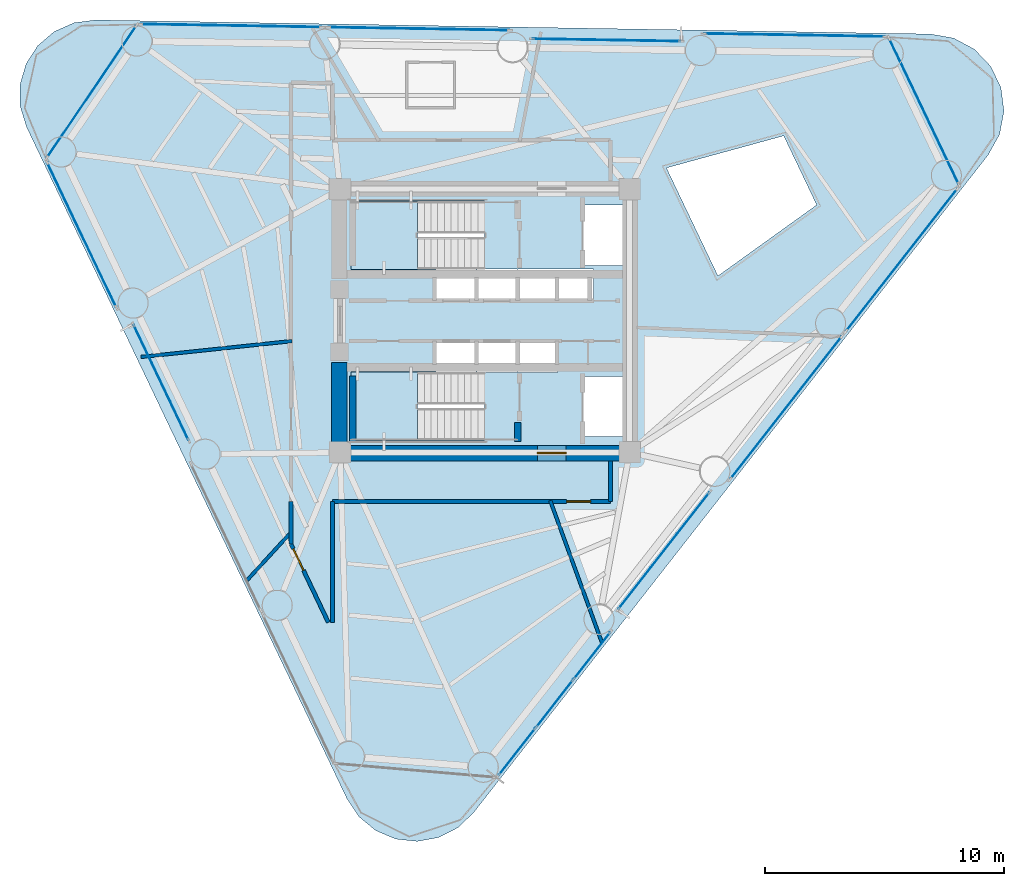
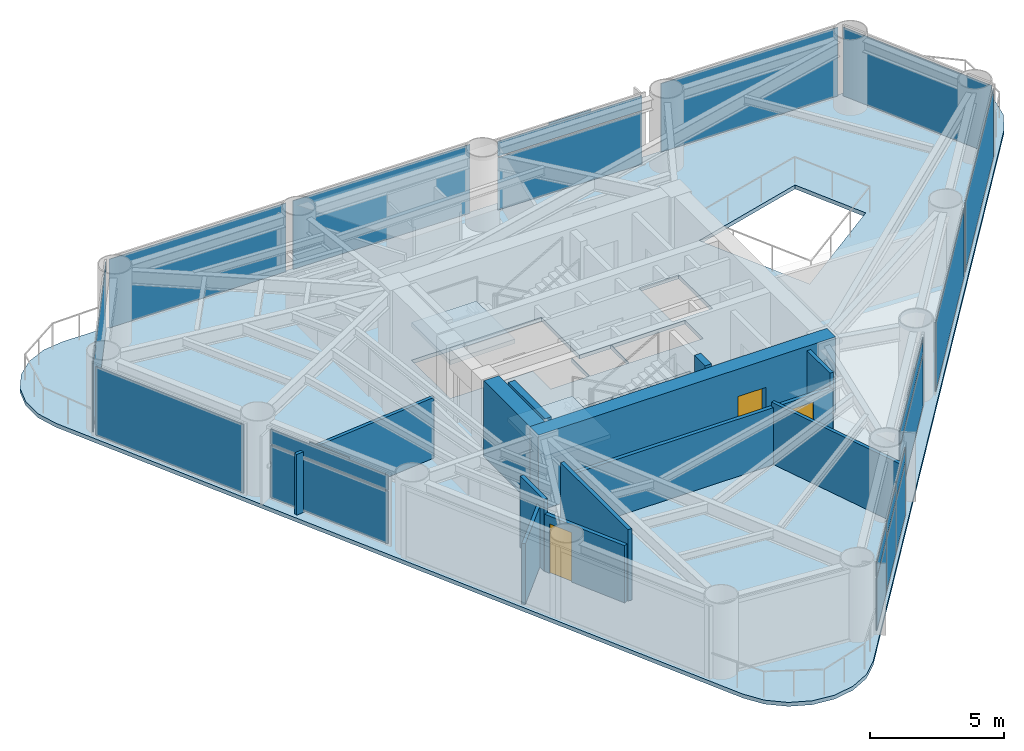
# One storey, part 5 of 10: 23 plates, 12 walls, 3 doors, 3 slabs, 3 openings, 14 elements without a shape of their own.
"""IFC4 building model written with IfcOpenShell, lengths in metres."""

from ifc_helpers import new_model, si_unit, direction, frame, frame_2d, origin, origin_2d, place, context, subcontext, project, spatial, polyline, rectangle, outline, extrude, source, transform, mapped, material, layer, layer_set, type_object, element, fill, aggregate, save


model = new_model("IFC4")

# Units and contexts
model_context = context("Model", 3, precision=1e-05, world=origin(), true_north=direction((0.0, 1.0)))
body_context = subcontext(model_context, "Body", "Model", "MODEL_VIEW")
ifc_project = project(units=[si_unit("LENGTHUNIT", "METRE"), si_unit("AREAUNIT", "SQUARE_METRE"), si_unit("VOLUMEUNIT", "CUBIC_METRE"), si_unit("PLANEANGLEUNIT", "RADIAN"), si_unit("MASSUNIT", "GRAM", prefix="KILO")], contexts=[model_context])

# Site, building, storey
site_placement = place(None, origin())
site = spatial("IfcSite", under=ifc_project, at=site_placement, CompositionType="ELEMENT")
building_placement = place(site_placement, origin())
building = spatial("IfcBuilding", under=site, at=building_placement, Name="Yunling Apex Tower", CompositionType="ELEMENT")
storey_placement = place(building_placement, frame((0.0, 0.0, 129.5)))
storey = spatial("IfcBuildingStorey", under=building, at=storey_placement, Name="L31", CompositionType="ELEMENT", Elevation=129.5)

# Slab
ifc_material_1 = material(Name="Concrete C40", Category="concrete")
ifc_layer_1 = layer(ifc_material_1, 0.1650390625)
ifc_layer_set_1 = layer_set([ifc_layer_1], Name="Concrete C40")
slab_type_1 = type_object("IfcSlabType", Name="SL-FLR-2", PredefinedType="FLOOR", material=ifc_layer_set_1)
slab_1_placement = place(storey_placement, frame((0.0, 0.0, -0.179931640625)))
element("IfcSlab", 1, at=slab_1_placement, inside=storey, type_object=slab_type_1, Name="L31 Composite Tower Floor Slab", PredefinedType="FLOOR", context=body_context, shape_type="SweptSolid", body=[
    extrude(outline(polyline([(-5.759765625, -19.970947265625), (-5.255615234375, -20.723388671875), (-4.55712890625, -21.300048828125), (-3.722900390625, -21.652587890625), (-2.82275390625, -21.75146484375), (-1.931884765625, -21.58837890625), (-1.125, -21.17724609375), (-0.469482421875, -20.55224609375), (21.029541015625, 6.926025390625), (21.5078125, 7.7900390625), (21.693115234375, 8.76025390625), (21.566650390625, 9.73974609375), (21.1416015625, 10.631103515625), (20.459716796875, 11.345703125), (19.58935546875, 11.812255859375), (18.616943359375, 11.984375), (-16.267578125, 12.569091796875), (-17.165771484375, 12.453125), (-17.9931640625, 12.084716796875), (-18.680419921875, 11.4951171875), (-19.170166015625, 10.733154296875), (-19.421142578125, 9.86279296875), (-19.41259765625, 8.957275390625), (-19.14501953125, 8.092041015625), (-5.759765625, -19.970947265625)]), holes=[polyline([(12.489013671875, 7.7294921875), (13.86669921875, 4.84130859375), (9.7412109375, 1.87646484375), (7.58837890625, 6.389404296875), (12.489013671875, 7.7294921875)]), polyline([(4.090087890625, -2.320068359375), (5.81005859375, -2.320068359375), (5.81005859375, -4.840087890625), (4.090087890625, -4.840087890625), (4.090087890625, -2.320068359375)]), polyline([(5.81005859375, 4.840087890625), (5.81005859375, 2.320068359375), (4.090087890625, 2.320068359375), (4.090087890625, 4.840087890625), (5.81005859375, 4.840087890625)]), polyline([(1.364990234375, 2.1650390625), (4.534912109375, 2.1650390625), (4.534912109375, 0.794921875), (1.364990234375, 0.794921875), (1.364990234375, 2.1650390625)]), polyline([(3.034912109375, -0.794921875), (3.034912109375, -2.1650390625), (1.364990234375, -2.1650390625), (1.364990234375, -0.794921875), (3.034912109375, -0.794921875)]), polyline([(-2.034912109375, -0.794921875), (-0.364990234375, -0.794921875), (-0.364990234375, -2.139892578125), (-0.3349609375, -2.139892578125), (-0.3349609375, -0.794921875), (1.3349609375, -0.794921875), (1.3349609375, -2.1650390625), (-0.010009765625, -2.1650390625), (-0.010009765625, -5.010009765625), (-5.60009765625, -5.010009765625), (-5.60009765625, -2.139892578125), (-2.034912109375, -2.139892578125), (-2.034912109375, -0.794921875)]), polyline([(-5.60009765625, 2.139892578125), (-5.60009765625, 5.010009765625), (-0.010009765625, 5.010009765625), (-0.010009765625, 2.1650390625), (1.3349609375, 2.1650390625), (1.3349609375, 0.794921875), (-0.3349609375, 0.794921875), (-0.3349609375, 2.139892578125), (-0.364990234375, 2.139892578125), (-0.364990234375, 0.794921875), (-2.034912109375, 0.794921875), (-2.034912109375, 2.139892578125), (-5.60009765625, 2.139892578125)])]), origin(), (0.0, 0.0, 1.0), 0.179931640625),
])

# Stair, slab
stair_type = type_object("IfcStairType", Name="ST-TWR-2", PredefinedType="HALF_TURN_STAIR", material=ifc_material_1)
stair_1_placement = place(storey_placement, origin())
stair_1 = element("IfcStair", 2, at=stair_1_placement, inside=storey, type_object=stair_type, Name="L31 North Core Smokeproof Exit Stair ST-1", PredefinedType="HALF_TURN_STAIR")
ifc_layer_2 = layer(ifc_material_1, 0.195068359375)
ifc_layer_set_2 = layer_set([ifc_layer_2], Name="Concrete C40")
slab_type_2 = type_object("IfcSlabType", Name="SL-LND-1", PredefinedType="LANDING", material=ifc_layer_set_2)
slab_2_placement = place(storey_placement, frame((0.0, 0.0, 1.530029296875)))
slab_2 = element("IfcSlab", 3, at=slab_2_placement, type_object=slab_type_2, Name="ST-1 landing 1", PredefinedType="LANDING", context=body_context, shape_type="SweptSolid", body=[
    extrude(outline(polyline([(-2.81005859375, 5.010009765625), (-5.60009765625, 5.010009765625), (-5.60009765625, 2.139892578125), (-2.81005859375, 2.139892578125), (-2.81005859375, 5.010009765625)])), origin(), (0.0, 0.0, 1.0), 0.195068359375),
])
aggregate(stair_1, [slab_2])

stair_2_placement = place(storey_placement, origin())
stair_2 = element("IfcStair", 4, at=stair_2_placement, inside=storey, type_object=stair_type, Name="L31 South Core Smokeproof Exit Stair ST-2", PredefinedType="HALF_TURN_STAIR")
slab_3_placement = place(storey_placement, frame((0.0, 0.0, 1.530029296875)))
slab_3 = element("IfcSlab", 5, at=slab_3_placement, type_object=slab_type_2, Name="ST-2 landing 1", PredefinedType="LANDING", context=body_context, shape_type="SweptSolid", body=[
    extrude(outline(polyline([(-2.81005859375, -2.139892578125), (-5.60009765625, -2.139892578125), (-5.60009765625, -5.010009765625), (-2.81005859375, -5.010009765625), (-2.81005859375, -2.139892578125)])), origin(), (0.0, 0.0, 1.0), 0.195068359375),
])
aggregate(stair_2, [slab_3])

# Plates
ifc_material_2 = material(Name="Bronze anodised aluminium", Category="aluminium")
ifc_layer_3 = layer(ifc_material_2, 0.011962890625)
ifc_layer_set_3 = layer_set([ifc_layer_3], Name="Bronze anodised aluminium")
plate_type_1 = type_object("IfcPlateType", Name="SP-SHT-1", PredefinedType="SHEET", material=ifc_layer_set_3)
shared_shape_1 = source(origin(), body_context, "Body", "SweptSolid", [
    extrude(rectangle(XDim=1.800048828125, YDim=0.02392578125, at=origin_2d()), origin(), (0.0, 0.0, 1.0), 0.43994140625),
])
for number, where, z_axis, x_axis, name in (
    (6, (7.4833984375, -9.608642578125, 2.8701171875), (0.0, 0.0, 1.0), (0.616211460536, 0.787580748815, 0.0), "SP-GRV-L31-F1"),
    (7, (5.091064453125, 11.73095703125, 2.8701171875), (0.0, 0.0, 1.0), (-0.999859635577, 0.016754376869, 0.0), "SP-GRV-L31-F2"),
    (8, (-13.52490234375, -2.57568359375, 2.8701171875), (0.0, 0.0, 1.0), (0.430511096808, -0.90258528435, 0.0), "SP-GRV-L31-F3"),
):
    element("IfcPlate", number, at=place(storey_placement, frame(where, z_axis=z_axis, x_axis=x_axis)), inside=storey, type_object=plate_type_1, Name=name, PredefinedType="SHEET", context=body_context, shape_type="MappedRepresentation", body=[
        mapped(shared_shape_1, transform((0.0, 0.0, 0.0), scale=1.0)),
    ])

# Curtain wall, plates
ifc_layer_4 = layer(ifc_material_2, 0.239990234375)
ifc_layer_set_4 = layer_set([ifc_layer_4], Name="Bronze anodised aluminium")
curtain_wall_type = type_object("IfcCurtainWallType", Name="CW-SYS-3", PredefinedType="NOTDEFINED", material=ifc_layer_set_4)
curtain_wall_1_placement = place(storey_placement, origin())
curtain_wall_1 = element("IfcCurtainWall", 9, at=curtain_wall_1_placement, inside=storey, type_object=curtain_wall_type, Name="CW-L31-F1-B1", PredefinedType="NOTDEFINED")
ifc_material_3 = material(Name="Bronze tinted low-E glass", Category="glass")
ifc_layer_5 = layer(ifc_material_3, 0.031982421875)
ifc_layer_set_5 = layer_set([ifc_layer_5], Name="Bronze tinted low-E glass")
plate_type_2 = type_object("IfcPlateType", Name="CW-PNL-3", PredefinedType="CURTAIN_PANEL", material=ifc_layer_set_5)
shared_shape_2 = source(origin(), body_context, "Body", "SweptSolid", [
    extrude(rectangle(XDim=2.45947265625, YDim=0.031982421875, at=origin_2d()), origin(), (0.0, 0.0, 1.0), 2.381103515625),
])
plate_1_placement = place(storey_placement, frame((1.3466796875, -18.00390625, 0.072265625), z_axis=(0.0, 0.0, 1.0), x_axis=(0.616207626377, 0.787583748686, 0.0)))
plate_1 = element("IfcPlate", 10, at=plate_1_placement, type_object=plate_type_2, Name="CW-SYS-3 panel 1.1", PredefinedType="CURTAIN_PANEL", context=body_context, shape_type="MappedRepresentation", body=[
    mapped(shared_shape_2, transform((0.0, 0.0, 0.0), scale=1.0)),
])
plate_2_placement = place(storey_placement, frame((4.481201171875, -13.99755859375, 0.072265625), z_axis=(0.0, 0.0, 1.0), x_axis=(0.616207626377, 0.787583748686, 0.0)))
plate_2 = element("IfcPlate", 11, at=plate_2_placement, type_object=plate_type_2, Name="CW-SYS-3 panel 3.1", PredefinedType="CURTAIN_PANEL", context=body_context, shape_type="MappedRepresentation", body=[
    mapped(shared_shape_2, transform((0.0, 0.0, 0.0), scale=1.0)),
])
shared_shape_3 = source(origin(), body_context, "Body", "SweptSolid", [
    extrude(rectangle(XDim=2.45947265625, YDim=0.031982421875, at=origin_2d()), origin(), (0.0, 0.0, 1.0), 0.680908203125),
])
plate_3_placement = place(storey_placement, frame((1.3466796875, -18.00390625, 2.51708984375), z_axis=(0.0, 0.0, 1.0), x_axis=(0.616207626377, 0.787583748686, 0.0)))
plate_3 = element("IfcPlate", 12, at=plate_3_placement, type_object=plate_type_2, Name="CW-SYS-3 panel 1.2", PredefinedType="CURTAIN_PANEL", context=body_context, shape_type="MappedRepresentation", body=[
    mapped(shared_shape_3, transform((0.0, 0.0, 0.0), scale=1.0)),
])
plate_4_placement = place(storey_placement, frame((4.481201171875, -13.99755859375, 2.51708984375), z_axis=(0.0, 0.0, 1.0), x_axis=(0.616207626377, 0.787583748686, 0.0)))
plate_4 = element("IfcPlate", 13, at=plate_4_placement, type_object=plate_type_2, Name="CW-SYS-3 panel 3.2", PredefinedType="CURTAIN_PANEL", context=body_context, shape_type="MappedRepresentation", body=[
    mapped(shared_shape_3, transform((0.0, 0.0, 0.0), scale=1.0)),
])
shared_shape_4 = source(origin(), body_context, "Body", "SweptSolid", [
    extrude(rectangle(XDim=2.499267578125, YDim=0.031982421875, at=origin_2d()), origin(), (0.0, 0.0, 1.0), 2.381103515625),
])
plate_5_placement = place(storey_placement, frame((2.913818359375, -16.000732421875, 0.072265625), z_axis=(0.0, 0.0, 1.0), x_axis=(0.616207626377, 0.787583748686, 0.0)))
plate_5 = element("IfcPlate", 14, at=plate_5_placement, type_object=plate_type_2, Name="CW-SYS-3 panel 2.1", PredefinedType="CURTAIN_PANEL", context=body_context, shape_type="MappedRepresentation", body=[
    mapped(shared_shape_4, transform((0.0, 0.0, 0.0), scale=1.0)),
])
shared_shape_5 = source(origin(), body_context, "Body", "SweptSolid", [
    extrude(rectangle(XDim=2.499267578125, YDim=0.031982421875, at=origin_2d()), origin(), (0.0, 0.0, 1.0), 0.680908203125),
])
plate_6_placement = place(storey_placement, frame((2.913818359375, -16.000732421875, 2.51708984375), z_axis=(0.0, 0.0, 1.0), x_axis=(0.616207626377, 0.787583748686, 0.0)))
plate_6 = element("IfcPlate", 15, at=plate_6_placement, type_object=plate_type_2, Name="CW-SYS-3 panel 2.2", PredefinedType="CURTAIN_PANEL", context=body_context, shape_type="MappedRepresentation", body=[
    mapped(shared_shape_5, transform((0.0, 0.0, 0.0), scale=1.0)),
])
aggregate(curtain_wall_1, [plate_1, plate_3, plate_5, plate_6, plate_2, plate_4])

curtain_wall_2_placement = place(storey_placement, origin())
curtain_wall_2 = element("IfcCurtainWall", 16, at=curtain_wall_2_placement, inside=storey, type_object=curtain_wall_type, Name="CW-L31-F1-B2", PredefinedType="NOTDEFINED")
shared_shape_6 = source(origin(), body_context, "Body", "SweptSolid", [
    extrude(rectangle(XDim=6.166015625, YDim=0.031982421875, at=origin_2d()), origin(), (0.0, 0.0, 1.0), 2.381103515625),
])
plate_7_placement = place(storey_placement, frame((7.4833984375, -9.608642578125, 0.072265625), z_axis=(0.0, 0.0, 1.0), x_axis=(0.616199292419, 0.787590269126, 0.0)))
plate_7 = element("IfcPlate", 17, at=plate_7_placement, type_object=plate_type_2, Name="CW-SYS-3 panel 1.1", PredefinedType="CURTAIN_PANEL", context=body_context, shape_type="MappedRepresentation", body=[
    mapped(shared_shape_6, transform((0.0, 0.0, 0.0), scale=1.0)),
])
shared_shape_7 = source(origin(), body_context, "Body", "SweptSolid", [
    extrude(rectangle(XDim=6.166015625, YDim=0.031982421875, at=origin_2d()), origin(), (0.0, 0.0, 1.0), 0.680908203125),
])
plate_8_placement = place(storey_placement, frame((7.4833984375, -9.608642578125, 2.51708984375), z_axis=(0.0, 0.0, 1.0), x_axis=(0.616199292419, 0.787590269126, 0.0)))
plate_8 = element("IfcPlate", 18, at=plate_8_placement, type_object=plate_type_2, Name="CW-SYS-3 panel 1.2", PredefinedType="CURTAIN_PANEL", context=body_context, shape_type="MappedRepresentation", body=[
    mapped(shared_shape_7, transform((0.0, 0.0, 0.0), scale=1.0)),
])
aggregate(curtain_wall_2, [plate_7, plate_8])

# Curtain wall, plate
curtain_wall_3_placement = place(storey_placement, origin())
curtain_wall_3 = element("IfcCurtainWall", 19, at=curtain_wall_3_placement, inside=storey, type_object=curtain_wall_type, Name="CW-L31-F1-B3", PredefinedType="NOTDEFINED")
shared_shape_8 = source(origin(), body_context, "Body", "SweptSolid", [
    extrude(rectangle(XDim=7.546142578125, YDim=0.031982421875, at=origin_2d()), origin(), (0.0, 0.0, 1.0), 3.1259765625),
])
plate_9_placement = place(storey_placement, frame((12.58837890625, -3.635498046875, 0.072021484375), z_axis=(0.0, 0.0, 1.0), x_axis=(0.616207626377, 0.787583748686, 0.0)))
plate_9 = element("IfcPlate", 20, at=plate_9_placement, type_object=plate_type_2, Name="CW-SYS-3 panel 1.1", PredefinedType="CURTAIN_PANEL", context=body_context, shape_type="MappedRepresentation", body=[
    mapped(shared_shape_8, transform((0.0, 0.0, 0.0), scale=1.0)),
])
aggregate(curtain_wall_3, [plate_9])

curtain_wall_4_placement = place(storey_placement, origin())
curtain_wall_4 = element("IfcCurtainWall", 21, at=curtain_wall_4_placement, inside=storey, type_object=curtain_wall_type, Name="CW-L31-F1-B4", PredefinedType="NOTDEFINED")
plate_10_placement = place(storey_placement, frame((17.425537109375, 2.547119140625, 0.072021484375), z_axis=(0.0, 0.0, 1.0), x_axis=(0.616207626377, 0.787583748686, 0.0)))
plate_10 = element("IfcPlate", 22, at=plate_10_placement, type_object=plate_type_2, Name="CW-SYS-3 panel 1.1", PredefinedType="CURTAIN_PANEL", context=body_context, shape_type="MappedRepresentation", body=[
    mapped(shared_shape_8, transform((0.0, 0.0, 0.0), scale=1.0)),
])
aggregate(curtain_wall_4, [plate_10])

curtain_wall_5_placement = place(storey_placement, origin())
curtain_wall_5 = element("IfcCurtainWall", 23, at=curtain_wall_5_placement, inside=storey, type_object=curtain_wall_type, Name="CW-L31-F2-B1", PredefinedType="NOTDEFINED")
plate_11_placement = place(storey_placement, frame((12.94580078125, 11.939453125, 0.072021484375), z_axis=(0.0, 0.0, 1.0), x_axis=(-0.99985951392, 0.016761635477, 0.0)))
plate_11 = element("IfcPlate", 24, at=plate_11_placement, type_object=plate_type_2, Name="CW-SYS-3 panel 1.1", PredefinedType="CURTAIN_PANEL", context=body_context, shape_type="MappedRepresentation", body=[
    mapped(shared_shape_8, transform((0.0, 0.0, 0.0), scale=1.0)),
])
aggregate(curtain_wall_5, [plate_11])

curtain_wall_6_placement = place(storey_placement, origin())
curtain_wall_6 = element("IfcCurtainWall", 25, at=curtain_wall_6_placement, inside=storey, type_object=curtain_wall_type, Name="CW-L31-F2-B3", PredefinedType="NOTDEFINED")
plate_12_placement = place(storey_placement, frame((-2.752197265625, 12.20263671875, 0.072021484375), z_axis=(0.0, 0.0, 1.0), x_axis=(-0.99985951392, 0.016761635477, 0.0)))
plate_12 = element("IfcPlate", 26, at=plate_12_placement, type_object=plate_type_2, Name="CW-SYS-3 panel 1.1", PredefinedType="CURTAIN_PANEL", context=body_context, shape_type="MappedRepresentation", body=[
    mapped(shared_shape_8, transform((0.0, 0.0, 0.0), scale=1.0)),
])
aggregate(curtain_wall_6, [plate_12])

curtain_wall_7_placement = place(storey_placement, origin())
curtain_wall_7 = element("IfcCurtainWall", 27, at=curtain_wall_7_placement, inside=storey, type_object=curtain_wall_type, Name="CW-L31-F2-B4", PredefinedType="NOTDEFINED")
plate_13_placement = place(storey_placement, frame((-10.60107421875, 12.334228515625, 0.072021484375), z_axis=(0.0, 0.0, 1.0), x_axis=(-0.99985951392, 0.016761635477, 0.0)))
plate_13 = element("IfcPlate", 28, at=plate_13_placement, type_object=plate_type_2, Name="CW-SYS-3 panel 1.1", PredefinedType="CURTAIN_PANEL", context=body_context, shape_type="MappedRepresentation", body=[
    mapped(shared_shape_8, transform((0.0, 0.0, 0.0), scale=1.0)),
])
aggregate(curtain_wall_7, [plate_13])

curtain_wall_8_placement = place(storey_placement, origin())
curtain_wall_8 = element("IfcCurtainWall", 29, at=curtain_wall_8_placement, inside=storey, type_object=curtain_wall_type, Name="CW-L31-CRN1", PredefinedType="NOTDEFINED")
shared_shape_9 = source(origin(), body_context, "Body", "SweptSolid", [
    extrude(rectangle(XDim=6.728271484375, YDim=0.031982421875, at=origin_2d()), origin(), (0.0, 0.0, 1.0), 3.1259765625),
])
plate_14_placement = place(storey_placement, frame((18.349365234375, 8.752197265625, 0.072021484375), z_axis=(0.0, 0.0, 1.0), x_axis=(-0.430518667458, 0.902581673296, 0.0)))
plate_14 = element("IfcPlate", 30, at=plate_14_placement, type_object=plate_type_2, Name="CW-SYS-3 panel 1.1", PredefinedType="CURTAIN_PANEL", context=body_context, shape_type="MappedRepresentation", body=[
    mapped(shared_shape_9, transform((0.0, 0.0, 0.0), scale=1.0)),
])
aggregate(curtain_wall_8, [plate_14])

# Curtain wall, plates
curtain_wall_9_placement = place(storey_placement, origin())
curtain_wall_9 = element("IfcCurtainWall", 31, at=curtain_wall_9_placement, inside=storey, type_object=curtain_wall_type, Name="CW-L31-F2-B2", PredefinedType="NOTDEFINED")
shared_shape_10 = source(origin(), body_context, "Body", "SweptSolid", [
    extrude(rectangle(XDim=6.166259765625, YDim=0.031982421875, at=origin_2d()), origin(), (0.0, 0.0, 1.0), 2.381103515625),
])
plate_15_placement = place(storey_placement, frame((5.091064453125, 11.73095703125, 0.072265625), z_axis=(0.0, 0.0, 1.0), x_axis=(-0.999859431696, 0.016766539529, 0.0)))
plate_15 = element("IfcPlate", 32, at=plate_15_placement, type_object=plate_type_2, Name="CW-SYS-3 panel 1.1", PredefinedType="CURTAIN_PANEL", context=body_context, shape_type="MappedRepresentation", body=[
    mapped(shared_shape_10, transform((0.0, 0.0, 0.0), scale=1.0)),
])
shared_shape_11 = source(origin(), body_context, "Body", "SweptSolid", [
    extrude(rectangle(XDim=6.166259765625, YDim=0.031982421875, at=origin_2d()), origin(), (0.0, 0.0, 1.0), 0.680908203125),
])
plate_16_placement = place(storey_placement, frame((5.091064453125, 11.73095703125, 2.51708984375), z_axis=(0.0, 0.0, 1.0), x_axis=(-0.999859431696, 0.016766539529, 0.0)))
plate_16 = element("IfcPlate", 33, at=plate_16_placement, type_object=plate_type_2, Name="CW-SYS-3 panel 1.2", PredefinedType="CURTAIN_PANEL", context=body_context, shape_type="MappedRepresentation", body=[
    mapped(shared_shape_11, transform((0.0, 0.0, 0.0), scale=1.0)),
])
aggregate(curtain_wall_9, [plate_15, plate_16])

# Curtain wall, plate
curtain_wall_10_placement = place(storey_placement, origin())
curtain_wall_10 = element("IfcCurtainWall", 34, at=curtain_wall_10_placement, inside=storey, type_object=curtain_wall_type, Name="CW-L31-CRN2", PredefinedType="NOTDEFINED")
shared_shape_12 = source(origin(), body_context, "Body", "SweptSolid", [
    extrude(rectangle(XDim=6.644775390625, YDim=0.031982421875, at=origin_2d()), origin(), (0.0, 0.0, 1.0), 3.1259765625),
])
plate_17_placement = place(storey_placement, frame((-16.4287109375, 9.56884765625, 0.072021484375), z_axis=(0.0, 0.0, 1.0), x_axis=(-0.560523052964, -0.82813882115, 0.0)))
plate_17 = element("IfcPlate", 35, at=plate_17_placement, type_object=plate_type_2, Name="CW-SYS-3 panel 1.1", PredefinedType="CURTAIN_PANEL", context=body_context, shape_type="MappedRepresentation", body=[
    mapped(shared_shape_12, transform((0.0, 0.0, 0.0), scale=1.0)),
])
aggregate(curtain_wall_10, [plate_17])

curtain_wall_11_placement = place(storey_placement, origin())
curtain_wall_11 = element("IfcCurtainWall", 36, at=curtain_wall_11_placement, inside=storey, type_object=curtain_wall_type, Name="CW-L31-F3-B1", PredefinedType="NOTDEFINED")
shared_shape_13 = source(origin(), body_context, "Body", "SweptSolid", [
    extrude(rectangle(XDim=6.691650390625, YDim=0.031982421875, at=origin_2d()), origin(), (0.0, 0.0, 1.0), 3.1259765625),
])
plate_18_placement = place(storey_placement, frame((-16.843505859375, 3.592041015625, 0.072021484375), z_axis=(0.0, 0.0, 1.0), x_axis=(0.4305058957, -0.902587765133, 0.0)))
plate_18 = element("IfcPlate", 37, at=plate_18_placement, type_object=plate_type_2, Name="CW-SYS-3 panel 1.1", PredefinedType="CURTAIN_PANEL", context=body_context, shape_type="MappedRepresentation", body=[
    mapped(shared_shape_13, transform((0.0, 0.0, 0.0), scale=1.0)),
])
aggregate(curtain_wall_11, [plate_18])

# Curtain wall, plates
curtain_wall_12_placement = place(storey_placement, origin())
curtain_wall_12 = element("IfcCurtainWall", 38, at=curtain_wall_12_placement, inside=storey, type_object=curtain_wall_type, Name="CW-L31-F3-B2", PredefinedType="NOTDEFINED")
shared_shape_14 = source(origin(), body_context, "Body", "SweptSolid", [
    extrude(rectangle(XDim=5.311767578125, YDim=0.031982421875, at=origin_2d()), origin(), (0.0, 0.0, 1.0), 2.381103515625),
])
plate_19_placement = place(storey_placement, frame((-13.52490234375, -2.57568359375, 0.072265625), z_axis=(0.0, 0.0, 1.0), x_axis=(0.430522606859, -0.902579794247, 0.0)))
plate_19 = element("IfcPlate", 39, at=plate_19_placement, type_object=plate_type_2, Name="CW-SYS-3 panel 1.1", PredefinedType="CURTAIN_PANEL", context=body_context, shape_type="MappedRepresentation", body=[
    mapped(shared_shape_14, transform((0.0, 0.0, 0.0), scale=1.0)),
])
shared_shape_15 = source(origin(), body_context, "Body", "SweptSolid", [
    extrude(rectangle(XDim=5.311767578125, YDim=0.031982421875, at=origin_2d()), origin(), (0.0, 0.0, 1.0), 0.680908203125),
])
plate_20_placement = place(storey_placement, frame((-13.52490234375, -2.57568359375, 2.51708984375), z_axis=(0.0, 0.0, 1.0), x_axis=(0.430522606859, -0.902579794247, 0.0)))
plate_20 = element("IfcPlate", 40, at=plate_20_placement, type_object=plate_type_2, Name="CW-SYS-3 panel 1.2", PredefinedType="CURTAIN_PANEL", context=body_context, shape_type="MappedRepresentation", body=[
    mapped(shared_shape_15, transform((0.0, 0.0, 0.0), scale=1.0)),
])
aggregate(curtain_wall_12, [plate_19, plate_20])

# Wall, opening, door
ifc_material_4 = material(Name="Concrete C50", Category="concrete")
ifc_layer_6 = layer(ifc_material_4, 0.64990234375)
ifc_layer_set_6 = layer_set([ifc_layer_6], Name="Concrete C50")
wall_type_1 = type_object("IfcWallType", Name="WL-COR-2", PredefinedType="SHEAR", material=ifc_layer_set_6)
wall_1_placement = place(storey_placement, frame((-6.39990234375, -5.52490234375, 0.0), z_axis=(0.0, 0.0, 1.0), x_axis=(1.0, 0.0, 0.0)))
wall_1 = element("IfcWall", 41, at=wall_1_placement, inside=storey, type_object=wall_type_1, Name="L31 South Core Shear Wall", PredefinedType="SHEAR", context=body_context, shape_type="SweptSolid", body=[
    extrude(rectangle(XDim=12.7998046875, YDim=0.64990234375, at=frame_2d((6.39990234375, 0.0))), origin(), (0.0, 0.0, 1.0), 3.449951171875),
])
opening_1_placement = place(wall_1_placement, frame((8.60009765625, 0.0, 0.0)))
opening_1 = element("IfcOpeningElement", 42, at=opening_1_placement, cuts=wall_1, Name="Opening DR-FFL-1", PredefinedType="OPENING", context=body_context, shape_type="SweptSolid", body=[
    extrude(rectangle(XDim=1.199951171875, YDim=2.199951171875, at=frame_2d((0.60009765625, 1.10009765625))), frame((0.0, 0.3349609375, 0.0), z_axis=(0.0, -1.0, 0.0), x_axis=(1.0, 0.0, 0.0)), (0.0, 0.0, 1.0), 0.669921875),
])
ifc_material_5 = material(Name="Steel Q355B", Category="steel")
door_type_1 = type_object("IfcDoorType", Name="DR-FFL-1", OperationType="NOTDEFINED", PredefinedType="DOOR", material=ifc_material_5)
door_1_placement = place(opening_1_placement, origin())
door_1 = element("IfcDoor", 43, at=door_1_placement, inside=storey, type_object=door_type_1, Name="L31 South Firefighting Lobby Door", OperationType="SINGLE_SWING_RIGHT", OverallHeight=2.199951171875, OverallWidth=1.199951171875, PredefinedType="DOOR", context=body_context, shape_type="SweptSolid", body=[
    extrude(rectangle(XDim=1.199951171875, YDim=2.199951171875, at=frame_2d((0.60009765625, 1.10009765625))), frame((0.0, 0.02490234375, 0.0), z_axis=(0.0, -1.0, 0.0), x_axis=(1.0, 0.0, 0.0)), (0.0, 0.0, 1.0), 0.050048828125),
])
fill(opening_1, door_1)

# Walls
wall_2_placement = place(storey_placement, frame((-6.074951171875, -5.199951171875, 0.0), z_axis=(0.0, 0.0, 1.0), x_axis=(0.0, 1.0, 0.0)))
element("IfcWall", 44, at=wall_2_placement, inside=storey, type_object=wall_type_1, Name="L31 West-South Core Shear Wall", PredefinedType="SHEAR", context=body_context, shape_type="SweptSolid", body=[
    extrude(rectangle(XDim=3.449951171875, YDim=0.64990234375, at=frame_2d((1.72509765625, 0.0))), origin(), (0.0, 0.0, 1.0), 3.449951171875),
])
ifc_layer_7 = layer(ifc_material_1, 0.280029296875)
ifc_layer_set_7 = layer_set([ifc_layer_7], Name="Concrete C40")
wall_type_2 = type_object("IfcWallType", Name="WL-COR-8", PredefinedType="SHEAR", material=ifc_layer_set_7)
wall_3_placement = place(storey_placement, frame((-5.52001953125, -5.050048828125, 0.0), z_axis=(0.0, 0.0, 1.0), x_axis=(0.0, 1.0, 0.0)))
element("IfcWall", 45, at=wall_3_placement, inside=storey, type_object=wall_type_2, Name="L31 ST-2 West Landing Bearing Wall", PredefinedType="SHEAR", context=body_context, shape_type="SweptSolid", body=[
    extrude(rectangle(XDim=2.75, YDim=0.280029296875, at=frame_2d((1.375, 0.0))), origin(), (0.0, 0.0, 1.0), 3.449951171875),
])
wall_4_placement = place(storey_placement, frame((1.3798828125, -5.050048828125, 0.0), z_axis=(0.0, 0.0, 1.0), x_axis=(0.0, 1.0, 0.0)))
element("IfcWall", 46, at=wall_4_placement, inside=storey, type_object=wall_type_2, Name="L31 ST-2 East Landing Bearing Pier", PredefinedType="SHEAR", context=body_context, shape_type="SweptSolid", body=[
    extrude(rectangle(XDim=0.800048828125, YDim=0.280029296875, at=frame_2d((0.39990234375, 0.0))), origin(), (0.0, 0.0, 1.0), 3.449951171875),
])

# Wall, opening, door
ifc_material_6 = material(Name="Gypsum board acoustic partition")
ifc_layer_8 = layer(ifc_material_6, 0.159912109375)
ifc_layer_set_8 = layer_set([ifc_layer_8], Name="Gypsum board acoustic partition")
wall_type_3 = type_object("IfcWallType", Name="WL-PRT-1", PredefinedType="PARTITIONING", material=ifc_layer_set_8)
wall_5_placement = place(storey_placement, frame((-6.538818359375, -12.60009765625, 0.0), z_axis=(0.0, 0.0, 1.0), x_axis=(-0.430521464151, 0.902580339308, 0.0)))
wall_5 = element("IfcWall", 47, at=wall_5_placement, inside=storey, type_object=wall_type_3, Name="WL-CORR-L31-01", PredefinedType="PARTITIONING", context=body_context, shape_type="SweptSolid", body=[
    extrude(rectangle(XDim=3.62646484375, YDim=0.159912109375, at=frame_2d((1.813232421875, 0.0))), origin(), (0.0, 0.0, 1.0), 2.60498046875),
])
opening_2_placement = place(wall_5_placement, frame((2.40625, 0.0, 0.0)))
opening_2 = element("IfcOpeningElement", 48, at=opening_2_placement, cuts=wall_5, Name="Opening DR-OFF-1", PredefinedType="OPENING", context=body_context, shape_type="SweptSolid", body=[
    extrude(rectangle(XDim=1.0, YDim=2.25, at=frame_2d((0.5, 1.125))), frame((0.0, 0.08984375, 0.0), z_axis=(0.0, -1.0, 0.0), x_axis=(1.0, 0.0, 0.0)), (0.0, 0.0, 1.0), 0.179931640625),
])
door_type_2 = type_object("IfcDoorType", Name="DR-OFF-1", OperationType="NOTDEFINED", PredefinedType="DOOR", material=ifc_material_2)
door_2_placement = place(opening_2_placement, origin())
door_2 = element("IfcDoor", 49, at=door_2_placement, inside=storey, type_object=door_type_2, Name="L31 Guest Reading Lounge Door", OperationType="SINGLE_SWING_RIGHT", OverallHeight=2.25, OverallWidth=1.0, PredefinedType="DOOR", context=body_context, shape_type="SweptSolid", body=[
    extrude(rectangle(XDim=1.0, YDim=2.25, at=frame_2d((0.5, 1.125))), frame((0.0, 0.02490234375, 0.0), z_axis=(0.0, -1.0, 0.0), x_axis=(1.0, 0.0, 0.0)), (0.0, 0.0, 1.0), 0.050048828125),
])
fill(opening_2, door_2)

# Walls
wall_6_placement = place(storey_placement, frame((-8.10009765625, -9.326904296875, 0.0), z_axis=(0.0, 0.0, 1.0), x_axis=(0.0, 1.0, 0.0)))
element("IfcWall", 50, at=wall_6_placement, inside=storey, type_object=wall_type_3, Name="WL-CORR-L31-02", PredefinedType="PARTITIONING", context=body_context, shape_type="SweptSolid", body=[
    extrude(rectangle(XDim=1.77685546875, YDim=0.159912109375, at=frame_2d((0.888427734375, 0.0))), origin(), (0.0, 0.0, 1.0), 3.25),
])
wall_7_placement = place(storey_placement, frame((5.25, -5.85009765625, 0.0), z_axis=(0.0, 0.0, 1.0), x_axis=(0.0, -1.0, 0.0)))
element("IfcWall", 51, at=wall_7_placement, inside=storey, type_object=wall_type_3, Name="WL-CORR-L31-09", PredefinedType="PARTITIONING", context=body_context, shape_type="SweptSolid", body=[
    extrude(rectangle(XDim=1.699951171875, YDim=0.159912109375, at=frame_2d((0.85009765625, 0.0))), origin(), (0.0, 0.0, 1.0), 3.25),
])

# Wall, opening, door
wall_8_placement = place(storey_placement, frame((5.25, -7.550048828125, 0.0), z_axis=(0.0, 0.0, 1.0), x_axis=(-1.0, 0.0, 0.0)))
wall_8 = element("IfcWall", 52, at=wall_8_placement, inside=storey, type_object=wall_type_3, Name="WL-CORR-L31-10", PredefinedType="PARTITIONING", context=body_context, shape_type="SweptSolid", body=[
    extrude(rectangle(XDim=11.610107421875, YDim=0.159912109375, at=frame_2d((5.80517578125, 0.0))), origin(), (0.0, 0.0, 1.0), 2.60498046875),
])
opening_3_placement = place(wall_8_placement, frame((0.827880859375, 0.0, 0.0)))
opening_3 = element("IfcOpeningElement", 53, at=opening_3_placement, cuts=wall_8, Name="Opening DR-OFF-1", PredefinedType="OPENING", context=body_context, shape_type="SweptSolid", body=[
    extrude(rectangle(XDim=1.0, YDim=2.25, at=frame_2d((0.5, 1.125))), frame((0.0, 0.08984375, 0.0), z_axis=(0.0, -1.0, 0.0), x_axis=(1.0, 0.0, 0.0)), (0.0, 0.0, 1.0), 0.179931640625),
])
door_3_placement = place(opening_3_placement, origin())
door_3 = element("IfcDoor", 54, at=door_3_placement, inside=storey, type_object=door_type_2, Name="L31 Guest Study Lounge Door", OperationType="SINGLE_SWING_LEFT", OverallHeight=2.25, OverallWidth=1.0, PredefinedType="DOOR", context=body_context, shape_type="SweptSolid", body=[
    extrude(rectangle(XDim=1.0, YDim=2.25, at=frame_2d((0.5, 1.125))), frame((0.0, 0.02490234375, 0.0), z_axis=(0.0, -1.0, 0.0), x_axis=(1.0, 0.0, 0.0)), (0.0, 0.0, 1.0), 0.050048828125),
])
fill(opening_3, door_3)

# Walls
wall_9_placement = place(storey_placement, frame((-6.360107421875, -7.550048828125, 0.0), z_axis=(0.0, 0.0, 1.0), x_axis=(0.0, -1.0, 0.0)))
element("IfcWall", 55, at=wall_9_placement, inside=storey, type_object=wall_type_3, Name="WL-CORR-L31-11", PredefinedType="PARTITIONING", context=body_context, shape_type="SweptSolid", body=[
    extrude(rectangle(XDim=5.050048828125, YDim=0.159912109375, at=frame_2d((2.52490234375, 0.0))), origin(), (0.0, 0.0, 1.0), 3.25),
])
ifc_layer_9 = layer(ifc_material_6, 0.139892578125)
ifc_layer_set_9 = layer_set([ifc_layer_9], Name="Gypsum board acoustic partition")
wall_type_4 = type_object("IfcWallType", Name="WL-PRT-2", PredefinedType="PARTITIONING", material=ifc_layer_set_9)
wall_10_placement = place(storey_placement, frame((-8.06005859375, -0.84716796875, 0.0), z_axis=(0.0, 0.0, 1.0), x_axis=(-0.994520422967, -0.104542471285, 0.0)))
element("IfcWall", 56, at=wall_10_placement, inside=storey, type_object=wall_type_4, Name="WL-RAD-L31-04", PredefinedType="PARTITIONING", context=body_context, shape_type="SweptSolid", body=[
    extrude(rectangle(XDim=6.34033203125, YDim=0.139892578125, at=frame_2d((3.170166015625, 0.0))), origin(), (0.0, 0.0, 1.0), 2.764892578125),
])
wall_11_placement = place(storey_placement, frame((-8.06005859375, -8.7958984375, 0.0), z_axis=(0.0, 0.0, 1.0), x_axis=(-0.67555207399, -0.737312278026, 0.0)))
element("IfcWall", 57, at=wall_11_placement, inside=storey, type_object=wall_type_4, Name="WL-RAD-L31-05", PredefinedType="PARTITIONING", context=body_context, shape_type="SweptSolid", body=[
    extrude(rectangle(XDim=2.75537109375, YDim=0.139892578125, at=frame_2d((1.377685546875, 0.0))), origin(), (0.0, 0.0, 1.0), 2.764892578125),
])
wall_12_placement = place(storey_placement, frame((2.7333984375, -7.510009765625, 0.0), z_axis=(0.0, 0.0, 1.0), x_axis=(0.342029891784, -0.93968907258, 0.0)))
element("IfcWall", 58, at=wall_12_placement, inside=storey, type_object=wall_type_4, Name="WL-RAD-L31-06", PredefinedType="PARTITIONING", context=body_context, shape_type="SweptSolid", body=[
    extrude(rectangle(XDim=6.287109375, YDim=0.139892578125, at=frame_2d((3.1435546875, 0.0))), origin(), (0.0, 0.0, 1.0), 2.804931640625),
])

save(model, "model.ifc")
